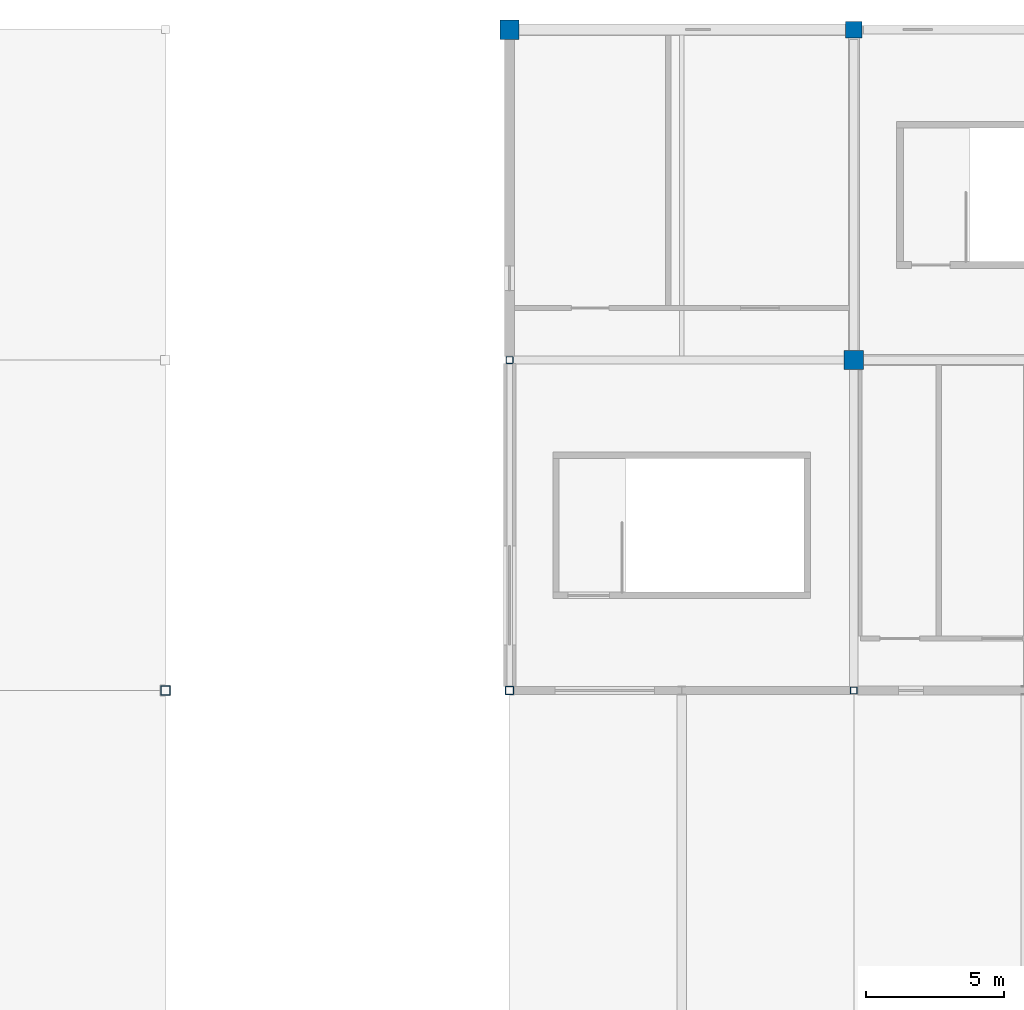
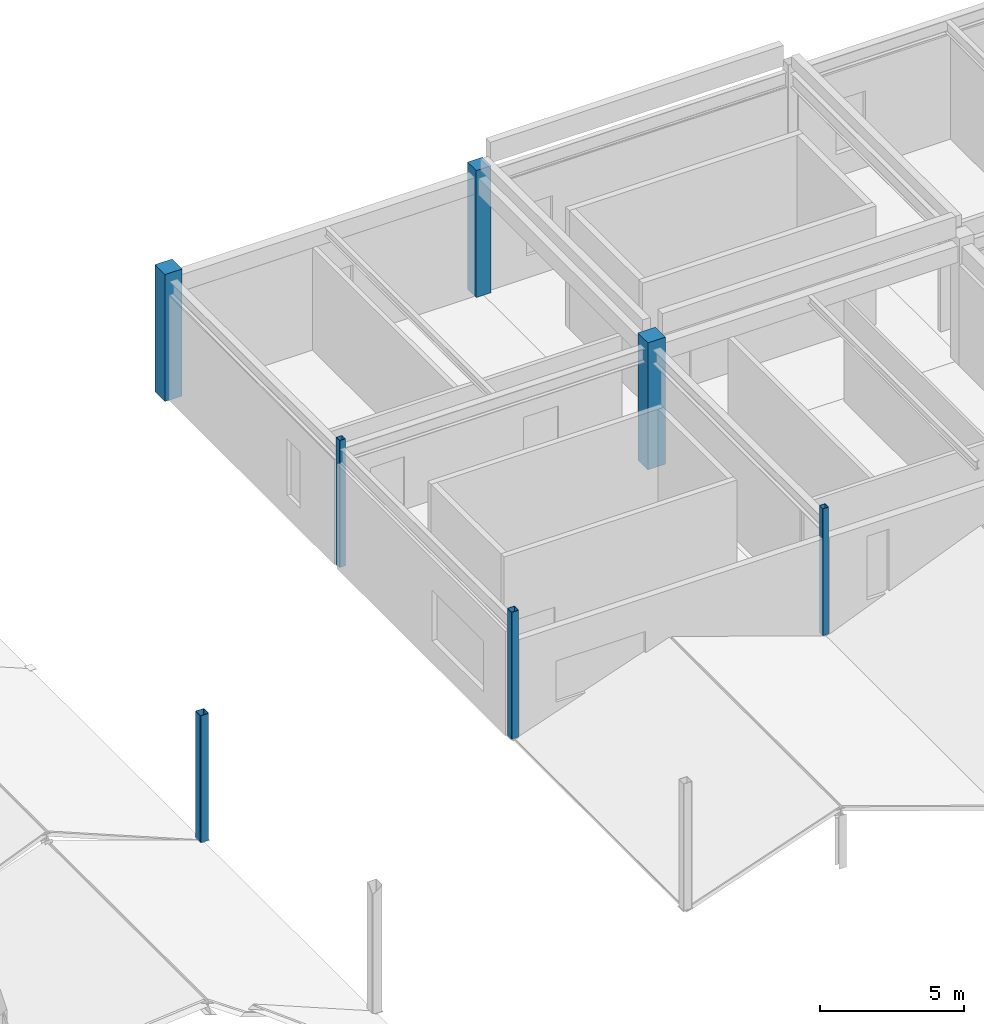
# One storey, part 20 of 76: 7 columns.
"""IFC4 building model written with IfcOpenShell, lengths in metres."""

from ifc_helpers import new_model, si_unit, direction, frame, origin, origin_2d, place, context, subcontext, project, spatial, rectangle, hollow_rectangle, extrude, material, material_profile, profile_set, type_object, element, save


model = new_model("IFC4")

# Units and contexts
model_context = context("Model", 3, precision=1e-05, world=origin(), true_north=direction((0.0, 1.0)))
body_context = subcontext(model_context, "Body", "Model", "MODEL_VIEW")
ifc_project = project(units=[si_unit("LENGTHUNIT", "METRE"), si_unit("AREAUNIT", "SQUARE_METRE"), si_unit("VOLUMEUNIT", "CUBIC_METRE"), si_unit("PLANEANGLEUNIT", "RADIAN"), si_unit("MASSUNIT", "GRAM", prefix="KILO")], contexts=[model_context])

# Site, building, storey
site_placement = place(None, origin())
site = spatial("IfcSite", under=ifc_project, at=site_placement, CompositionType="ELEMENT")
building_placement = place(site_placement, origin())
building = spatial("IfcBuilding", under=site, at=building_placement, Name="Kazenohara Klinker Stadium", CompositionType="ELEMENT")
storey_placement = place(building_placement, frame((0.0, 0.0, 25.800048828125)))
storey = spatial("IfcBuildingStorey", under=building, at=storey_placement, Name="L05", CompositionType="ELEMENT", Elevation=25.800048828125)

# Columns
ifc_material_1 = material(Name="Concrete C40/50", Category="concrete")
ifc_material_profile_1 = material_profile(ifc_material_1, rectangle(XDim=0.699951171875, YDim=0.699951171875, at=origin_2d()), Name="RC-COL-700x700")
ifc_profile_set_1 = profile_set([ifc_material_profile_1], Name="Concrete C40/50")
column_type_1 = type_object("IfcColumnType", Name="COL-RC06", PredefinedType="COLUMN", material=ifc_profile_set_1)
for number, where, z_axis, x_axis, name in (
    (1, (49.0, 168.0, 0.0), (0.0, 0.0, 1.0), (1.0, 0.0, 0.0), "Column C06 L05 5/Q"),
    (2, (61.5, 156.0, 0.0), (0.0, 0.0, 1.0), (1.0, 0.0, 0.0), "Column C06 L05 6/P"),
):
    element("IfcColumn", number, at=place(storey_placement, frame(where, z_axis=z_axis, x_axis=x_axis)), inside=storey, type_object=column_type_1, Name=name, PredefinedType="COLUMN", context=body_context, shape_type="SweptSolid", body=[
        extrude(rectangle(XDim=0.699951171875, YDim=0.699951171875, at=origin_2d()), origin(), (0.0, 0.0, 1.0), 5.39990234375),
    ])
ifc_material_profile_2 = material_profile(ifc_material_1, rectangle(XDim=0.60009765625, YDim=0.60009765625, at=origin_2d()), Name="RC-COL-600x600")
ifc_profile_set_2 = profile_set([ifc_material_profile_2], Name="Concrete C40/50")
column_type_2 = type_object("IfcColumnType", Name="COL-RC07", PredefinedType="COLUMN", material=ifc_profile_set_2)
column_1_placement = place(storey_placement, frame((61.5, 168.0, 0.0), z_axis=(0.0, 0.0, 1.0), x_axis=(1.0, 0.0, 0.0)))
element("IfcColumn", 3, at=column_1_placement, inside=storey, type_object=column_type_2, Name="Column C07 L05 6/Q", PredefinedType="COLUMN", context=body_context, shape_type="SweptSolid", body=[
    extrude(rectangle(XDim=0.60009765625, YDim=0.60009765625, at=origin_2d()), origin(), (0.0, 0.0, 1.0), 5.39990234375),
])
ifc_material_2 = material(Name="Steel S355", Category="steel")
ifc_material_profile_3 = material_profile(ifc_material_2, hollow_rectangle(XDim=0.35009765625, YDim=0.35009765625, WallThickness=0.01611328125, InnerFilletRadius=0.01611328125, OuterFilletRadius=0.031982421875, at=origin_2d()), Name="SHS-350x350x16")
ifc_profile_set_3 = profile_set([ifc_material_profile_3], Name="Steel S355")
column_type_3 = type_object("IfcColumnType", Name="COL-ST02", PredefinedType="COLUMN", material=ifc_profile_set_3)
column_2_placement = place(storey_placement, frame((36.5, 144.0, 0.0), z_axis=(0.0, 0.0, 1.0), x_axis=(1.0, 0.0, 0.0)))
element("IfcColumn", 4, at=column_2_placement, inside=storey, type_object=column_type_3, Name="Canopy ring support column SC02 L05 4/N", PredefinedType="COLUMN", context=body_context, shape_type="SweptSolid", body=[
    extrude(hollow_rectangle(XDim=0.35009765625, YDim=0.35009765625, WallThickness=0.01611328125, InnerFilletRadius=0.01611328125, OuterFilletRadius=0.031982421875, at=origin_2d()), origin(), (0.0, 0.0, 1.0), 5.39990234375),
])
ifc_material_profile_4 = material_profile(ifc_material_2, hollow_rectangle(XDim=0.300048828125, YDim=0.300048828125, WallThickness=0.011962890625, InnerFilletRadius=0.011962890625, OuterFilletRadius=0.02392578125, at=origin_2d()), Name="SHS-300x300x12")
ifc_profile_set_4 = profile_set([ifc_material_profile_4], Name="Steel S355")
column_type_4 = type_object("IfcColumnType", Name="COL-ST03", PredefinedType="COLUMN", material=ifc_profile_set_4)
column_3_placement = place(storey_placement, frame((49.0, 144.0, 0.0), z_axis=(0.0, 0.0, 1.0), x_axis=(1.0, 0.0, 0.0)))
element("IfcColumn", 5, at=column_3_placement, inside=storey, type_object=column_type_4, Name="Column SC03 L05 5/N", PredefinedType="COLUMN", context=body_context, shape_type="SweptSolid", body=[
    extrude(hollow_rectangle(XDim=0.300048828125, YDim=0.300048828125, WallThickness=0.011962890625, InnerFilletRadius=0.011962890625, OuterFilletRadius=0.02392578125, at=origin_2d()), origin(), (0.0, 0.0, 1.0), 5.39990234375),
])
ifc_material_profile_5 = material_profile(ifc_material_2, hollow_rectangle(XDim=0.25, YDim=0.25, WallThickness=0.011962890625, InnerFilletRadius=0.011962890625, OuterFilletRadius=0.02392578125, at=origin_2d()), Name="SHS-250x250x12")
ifc_profile_set_5 = profile_set([ifc_material_profile_5], Name="Steel S355")
column_type_5 = type_object("IfcColumnType", Name="COL-ST04", PredefinedType="COLUMN", material=ifc_profile_set_5)
for number, where, z_axis, x_axis, name in (
    (6, (49.0, 156.0, 0.0), (0.0, 0.0, 1.0), (1.0, 0.0, 0.0), "Column SC04 L05 5/P"),
    (7, (61.5, 144.0, 0.0), (0.0, 0.0, 1.0), (1.0, 0.0, 0.0), "Column SC04 L05 6/N"),
):
    element("IfcColumn", number, at=place(storey_placement, frame(where, z_axis=z_axis, x_axis=x_axis)), inside=storey, type_object=column_type_5, Name=name, PredefinedType="COLUMN", context=body_context, shape_type="SweptSolid", body=[
        extrude(hollow_rectangle(XDim=0.25, YDim=0.25, WallThickness=0.011962890625, InnerFilletRadius=0.011962890625, OuterFilletRadius=0.02392578125, at=origin_2d()), origin(), (0.0, 0.0, 1.0), 5.39990234375),
    ])

save(model, "model.ifc")
